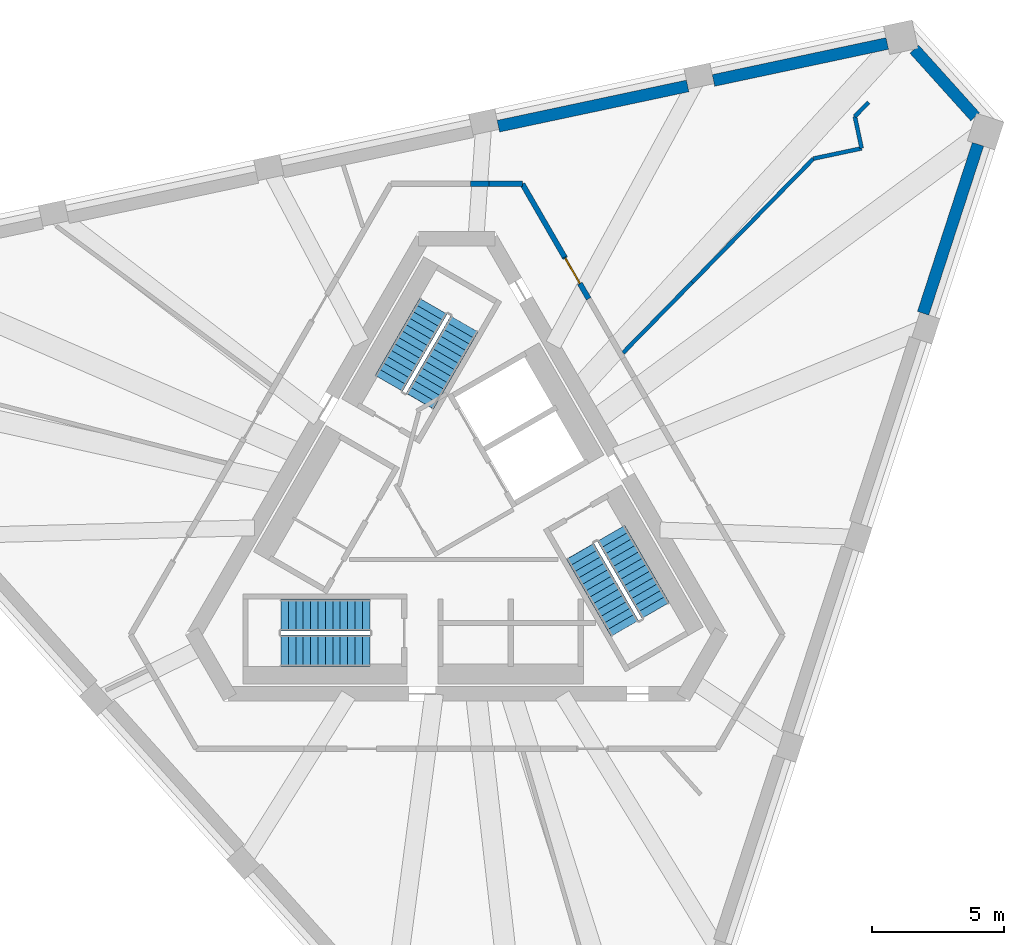
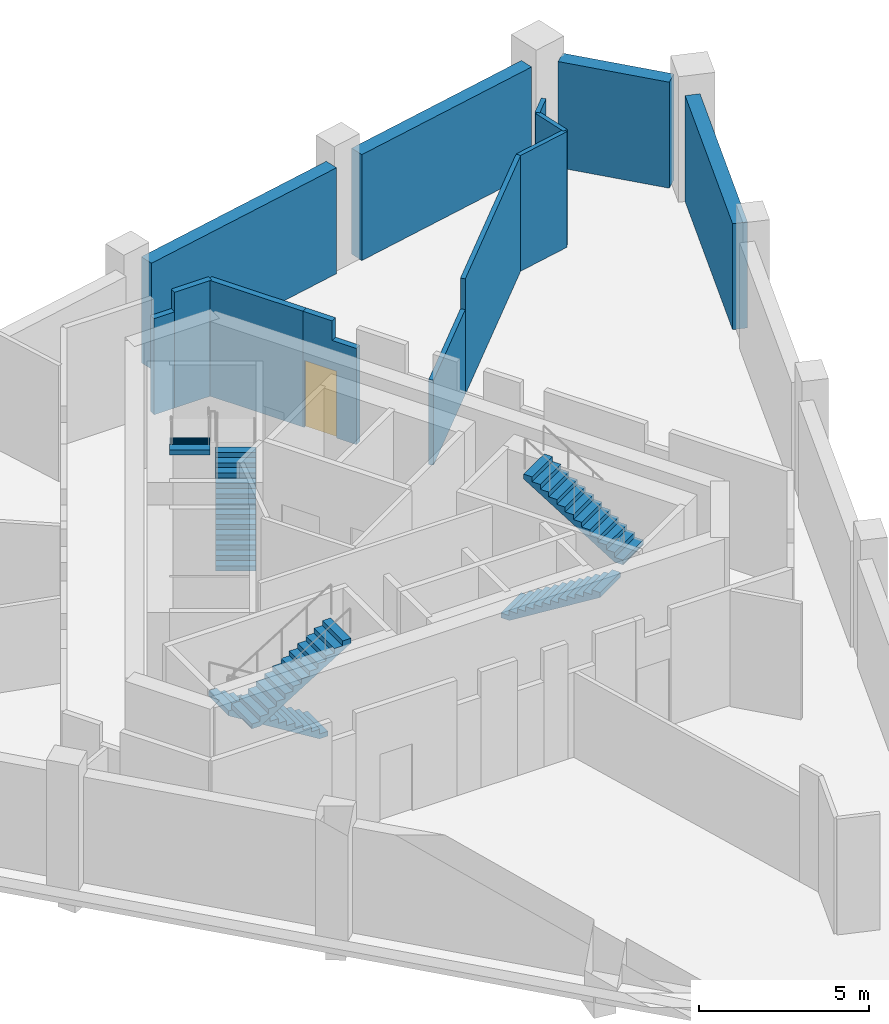
# One storey, part 4 of 5: 13 walls, 6 stair flights, 1 door, 1 opening, 3 elements without a shape of their own.
"""IFC4 building model written with IfcOpenShell, lengths in metres."""

from ifc_helpers import new_model, si_unit, direction, frame, frame_2d, origin, place, context, subcontext, project, spatial, polyline, rectangle, outline, extrude, material, layer, layer_set, type_object, element, fill, aggregate, save


model = new_model("IFC4")

# Units and contexts
model_context = context("Model", 3, precision=1e-05, world=origin(), true_north=direction((0.0, 1.0)))
body_context = subcontext(model_context, "Body", "Model", "MODEL_VIEW")
ifc_project = project(units=[si_unit("LENGTHUNIT", "METRE"), si_unit("AREAUNIT", "SQUARE_METRE"), si_unit("VOLUMEUNIT", "CUBIC_METRE"), si_unit("PLANEANGLEUNIT", "RADIAN"), si_unit("MASSUNIT", "GRAM", prefix="KILO")], contexts=[model_context])

# Site, building, storey
site_placement = place(None, origin())
site = spatial("IfcSite", under=ifc_project, at=site_placement, CompositionType="ELEMENT")
building_placement = place(site_placement, origin())
building = spatial("IfcBuilding", under=site, at=building_placement, Name="Tramontana Tower", CompositionType="ELEMENT")
storey_placement = place(building_placement, frame((0.0, 0.0, 352.39990234375)))
storey = spatial("IfcBuildingStorey", under=building, at=storey_placement, Name="L81", CompositionType="ELEMENT", Elevation=352.39990234375)

# Walls
ifc_material_1 = material(Name="Blockwork", Category="masonry")
ifc_layer_1 = layer(ifc_material_1, 0.199951171875)
ifc_layer_set_1 = layer_set([ifc_layer_1], Name="ENTRY WALL 200")
wall_type_1 = type_object("IfcWallType", Name="ENTRY WALL 200", PredefinedType="SOLIDWALL", material=ifc_layer_set_1)
wall_1_placement = place(storey_placement, frame((0.520263671875, 12.800048828125, 0.0), z_axis=(0.0, 0.0, 1.0), x_axis=(1.0, 0.0, 0.0)))
element("IfcWall", 1, at=wall_1_placement, inside=storey, type_object=wall_type_1, Name="Wall ew4-1", PredefinedType="SOLIDWALL", context=body_context, shape_type="SweptSolid", body=[
    extrude(rectangle(XDim=0.701416015625, YDim=0.199951171875, at=frame_2d((0.3505859375, 0.0))), origin(), (0.0, 0.0, 1.0), 3.4501953125),
])
wall_2_placement = place(storey_placement, frame((1.2216796875, 12.800048828125, 0.0), z_axis=(0.0, 0.0, 1.0), x_axis=(1.0, 0.0, 0.0)))
element("IfcWall", 2, at=wall_2_placement, inside=storey, type_object=wall_type_1, Name="Wall ew4-2", PredefinedType="SOLIDWALL", context=body_context, shape_type="SweptSolid", body=[
    extrude(rectangle(XDim=1.260986328125, YDim=0.199951171875, at=frame_2d((0.63037109375, 0.0))), origin(), (0.0, 0.0, 1.0), 4.150146484375),
])
wall_3_placement = place(storey_placement, frame((2.482666015625, 12.800048828125, 0.0), z_axis=(0.0, 0.0, 1.0), x_axis=(0.499964726069, -0.86604576824, 0.0)))
element("IfcWall", 3, at=wall_3_placement, inside=storey, type_object=wall_type_1, Name="Wall ew5-0", PredefinedType="SOLIDWALL", context=body_context, shape_type="SweptSolid", body=[
    extrude(rectangle(XDim=3.198486328125, YDim=0.199951171875, at=frame_2d((1.59912109375, 0.0))), origin(), (0.0, 0.0, 1.0), 4.150146484375),
])

# Wall, opening, door
wall_4_placement = place(storey_placement, frame((4.081787109375, 10.030029296875, 0.0), z_axis=(0.0, 0.0, 1.0), x_axis=(0.499997733992, -0.866026712061, 0.0)))
wall_4 = element("IfcWall", 4, at=wall_4_placement, inside=storey, type_object=wall_type_1, Name="Wall ew5-1", PredefinedType="SOLIDWALL", context=body_context, shape_type="SweptSolid", body=[
    extrude(outline(polyline([(0.0, 0.0), (1.81689453125, 0.0), (1.817138671875, 3.4501953125), (0.99609375, 3.4501953125), (0.99609375, 4.150146484375), (0.0, 4.150146484375), (0.0, 0.0)])), frame((0.0, 0.10009765625, 0.0), z_axis=(0.0, -1.0, 0.0), x_axis=(1.0, 0.0, 0.0)), (0.0, 0.0, 1.0), 0.199951171875),
])
opening_placement = place(wall_4_placement, frame((0.050048828125, 0.0, 0.0)))
opening = element("IfcOpeningElement", 5, at=opening_placement, cuts=wall_4, Name="Opening L81-07", PredefinedType="OPENING", context=body_context, shape_type="SweptSolid", body=[
    extrude(rectangle(XDim=1.10009765625, YDim=2.39990234375, at=frame_2d((0.550048828125, 1.199951171875))), frame((0.0, 0.10986328125, 0.0), z_axis=(0.0, -1.0, 0.0), x_axis=(1.0, 0.0, 0.0)), (0.0, 0.0, 1.0), 0.219970703125),
])
ifc_material_2 = material(Name="Painted timber", Category="wood")
door_type = type_object("IfcDoorType", Name="DOOR ENTRY 1100", OperationType="SINGLE_SWING_LEFT", PredefinedType="DOOR", material=ifc_material_2)
door_placement = place(opening_placement, origin())
door = element("IfcDoor", 6, at=door_placement, inside=storey, type_object=door_type, Name="Door L81-07", OperationType="SINGLE_SWING_LEFT", OverallHeight=2.39990234375, OverallWidth=1.10009765625, PredefinedType="DOOR", context=body_context, shape_type="SweptSolid", body=[
    extrude(rectangle(XDim=1.10009765625, YDim=2.39990234375, at=frame_2d((0.550048828125, 1.199951171875))), frame((0.0, 0.02490234375, 0.0), z_axis=(0.0, -1.0, 0.0), x_axis=(1.0, 0.0, 0.0)), (0.0, 0.0, 1.0), 0.050048828125),
])
fill(opening, door)

# Walls
ifc_material_3 = material(Name="Precast concrete 60 MPa", Category="concrete")
ifc_layer_2 = layer(ifc_material_3, 0.449951171875)
ifc_layer_set_2 = layer_set([ifc_layer_2], Name="Precast concrete 60 MPa, 450 mm")
wall_type_2 = type_object("IfcWallType", Name="EW1 Stone-faced precast wall 450", PredefinedType="SOLIDWALL", material=ifc_layer_set_2)
wall_5_placement = place(storey_placement, frame((17.632080078125, 7.9091796875, 0.0), z_axis=(0.0, 0.0, 1.0), x_axis=(0.309018647645, 0.951055979114, 0.0)))
element("IfcWall", 7, at=wall_5_placement, inside=storey, type_object=wall_type_2, Name="Stone band wall L81 face 1s 5", PredefinedType="SOLIDWALL", context=body_context, shape_type="SweptSolid", body=[
    extrude(rectangle(XDim=6.7138671875, YDim=0.449951171875, at=frame_2d((3.35693359375, 0.0))), origin(), (0.0, 0.0, 1.0), 3.800048828125),
])
wall_6_placement = place(storey_placement, frame((19.597900390625, 15.334716796875, 0.0), z_axis=(0.0, 0.0, 1.0), x_axis=(-0.669109997009, 0.743163381702, 0.0)))
element("IfcWall", 8, at=wall_6_placement, inside=storey, type_object=wall_type_2, Name="Stone band wall L81 face 2k 1", PredefinedType="SOLIDWALL", context=body_context, shape_type="SweptSolid", body=[
    extrude(rectangle(XDim=3.435302734375, YDim=0.449951171875, at=frame_2d((1.7177734375, 0.0))), origin(), (0.0, 0.0, 1.0), 3.800048828125),
])
wall_7_placement = place(storey_placement, frame((8.73095703125, 16.500732421875, 0.0), z_axis=(0.0, 0.0, 1.0), x_axis=(-0.978151299843, -0.207894287118, 0.0)))
element("IfcWall", 9, at=wall_7_placement, inside=storey, type_object=wall_type_2, Name="Stone band wall L81 face 2s 4", PredefinedType="SOLIDWALL", context=body_context, shape_type="SweptSolid", body=[
    extrude(rectangle(XDim=7.31396484375, YDim=0.449951171875, at=frame_2d((3.656982421875, 0.0))), origin(), (0.0, 0.0, 1.0), 3.800048828125),
])
wall_8_placement = place(storey_placement, frame((16.276123046875, 18.104736328125, 0.0), z_axis=(0.0, 0.0, 1.0), x_axis=(-0.978144338977, -0.207927035587, 0.0)))
element("IfcWall", 10, at=wall_8_placement, inside=storey, type_object=wall_type_2, Name="Stone band wall L81 face 2s 5", PredefinedType="SOLIDWALL", context=body_context, shape_type="SweptSolid", body=[
    extrude(rectangle(XDim=6.7138671875, YDim=0.449951171875, at=frame_2d((3.35693359375, 0.0))), origin(), (0.0, 0.0, 1.0), 3.800048828125),
])
ifc_material_4 = material(Name="Gypsum board partition")
ifc_layer_3 = layer(ifc_material_4, 0.14990234375)
ifc_layer_set_3 = layer_set([ifc_layer_3], Name="PARTITION 150")
wall_type_3 = type_object("IfcWallType", Name="PARTITION 150", PredefinedType="PARTITIONING", material=ifc_layer_set_3)
wall_9_placement = place(storey_placement, frame((6.286865234375, 6.410888671875, 0.0), z_axis=(0.0, 0.0, 1.0), x_axis=(0.700152348121, 0.713993479956, 0.0)))
element("IfcWall", 11, at=wall_9_placement, inside=storey, type_object=wall_type_3, Name="Wall fw-pw11-0", PredefinedType="PARTITIONING", context=body_context, shape_type="SweptSolid", body=[
    extrude(rectangle(XDim=3.739501953125, YDim=0.14990234375, at=frame_2d((1.86962890625, 0.0))), origin(), (0.0, 0.0, 1.0), 3.050048828125),
])
wall_10_placement = place(storey_placement, frame((8.905029296875, 9.080810546875, 0.0), z_axis=(0.0, 0.0, 1.0), x_axis=(0.700154559569, 0.713991311372, 0.0)))
element("IfcWall", 12, at=wall_10_placement, inside=storey, type_object=wall_type_3, Name="Wall fw-pw11-1", PredefinedType="PARTITIONING", context=body_context, shape_type="SweptSolid", body=[
    extrude(rectangle(XDim=6.546142578125, YDim=0.14990234375, at=frame_2d((3.27294921875, 0.0))), origin(), (0.0, 0.0, 1.0), 4.150146484375),
])
wall_11_placement = place(storey_placement, frame((13.488525390625, 13.7548828125, 0.0), z_axis=(0.0, 0.0, 1.0), x_axis=(0.978154843267, 0.207877614461, 0.0)))
element("IfcWall", 13, at=wall_11_placement, inside=storey, type_object=wall_type_3, Name="Wall fw-pw13", PredefinedType="PARTITIONING", context=body_context, shape_type="SweptSolid", body=[
    extrude(rectangle(XDim=1.85791015625, YDim=0.14990234375, at=frame_2d((0.928955078125, 0.0))), origin(), (0.0, 0.0, 1.0), 4.150146484375),
])
wall_12_placement = place(storey_placement, frame((15.05126953125, 15.3486328125, 0.0), z_axis=(0.0, 0.0, 1.0), x_axis=(0.700199040738, 0.713947689505, 0.0)))
element("IfcWall", 14, at=wall_12_placement, inside=storey, type_object=wall_type_3, Name="Wall fw-pw14", PredefinedType="PARTITIONING", context=body_context, shape_type="SweptSolid", body=[
    extrude(rectangle(XDim=0.745849609375, YDim=0.14990234375, at=frame_2d((0.373046875, 0.0))), origin(), (0.0, 0.0, 1.0), 4.150146484375),
])
wall_13_placement = place(storey_placement, frame((15.307373046875, 14.1435546875, 0.0), z_axis=(0.0, 0.0, 1.0), x_axis=(-0.207918018685, 0.978146255683, 0.0)))
element("IfcWall", 15, at=wall_13_placement, inside=storey, type_object=wall_type_3, Name="Wall fw-pw15", PredefinedType="PARTITIONING", context=body_context, shape_type="SweptSolid", body=[
    extrude(rectangle(XDim=1.231689453125, YDim=0.14990234375, at=frame_2d((0.61572265625, 0.0))), origin(), (0.0, 0.0, 1.0), 4.150146484375),
])

# Stair, stair flights
ifc_material_5 = material(Name="Concrete 40 MPa", Category="concrete")
stair_type = type_object("IfcStairType", Name="EXIT STAIR 26 RISERS", PredefinedType="HALF_TURN_STAIR", material=ifc_material_5)
stair_1_placement = place(storey_placement, origin())
stair_1 = element("IfcStair", 16, at=stair_1_placement, inside=storey, type_object=stair_type, Name="L81 Exit stair ST1", PredefinedType="HALF_TURN_STAIR")
ifc_material_6 = material(Name="Concrete 40 MPa", Category="concrete")
ifc_layer_4 = layer(ifc_material_6, 0.14990234375)
ifc_layer_set_4 = layer_set([ifc_layer_4], Name="EXIT STAIR FLIGHT")
stair_flight_type = type_object("IfcStairFlightType", Name="EXIT STAIR FLIGHT", PredefinedType="STRAIGHT", material=ifc_layer_set_4)
stair_flight_1_placement = place(storey_placement, frame((-1.39111328125, 4.590576171875, 0.0), z_axis=(0.0, 0.0, 1.0), x_axis=(0.5, 0.866025403784, 0.0)))
stair_flight_1 = element("IfcStairFlight", 17, at=stair_flight_1_placement, type_object=stair_flight_type, Name="ST1 flight 1", NumberOfRisers=13, NumberOfTreads=12, PredefinedType="STRAIGHT", RiserHeight=0.173076923, TreadLength=0.28, context=body_context, shape_type="SweptSolid", body=[
    extrude(outline(polyline([(-0.006103515625, 0.0), (-0.006103515625, 0.0400390625), (0.0, 0.0400390625), (0.0, 0.173095703125), (0.280029296875, 0.173095703125), (0.280029296875, 0.34619140625), (0.56005859375, 0.34619140625), (0.56005859375, 0.519287109375), (0.840087890625, 0.519287109375), (0.840087890625, 0.6923828125), (1.1201171875, 0.6923828125), (1.1201171875, 0.865478515625), (1.39990234375, 0.865478515625), (1.39990234375, 1.03857421875), (1.679931640625, 1.03857421875), (1.679931640625, 1.21142578125), (1.9599609375, 1.21142578125), (1.9599609375, 1.384521484375), (2.239990234375, 1.384521484375), (2.239990234375, 1.5576171875), (2.52001953125, 1.5576171875), (2.52001953125, 1.730712890625), (2.800048828125, 1.730712890625), (2.800048828125, 1.90380859375), (3.080078125, 1.90380859375), (3.080078125, 2.076904296875), (3.360107421875, 2.076904296875), (3.365966796875, 2.076904296875), (3.365966796875, 1.900634765625), (0.291015625, 0.0), (-0.006103515625, 0.0)])), frame((0.0, 0.60009765625, 0.0), z_axis=(0.0, -1.0, 0.0), x_axis=(1.0, 0.0, 0.0)), (0.0, 0.0, 1.0), 1.199951171875),
])
stair_flight_2_placement = place(storey_placement, frame((-0.880126953125, 8.17529296875, 2.25), z_axis=(0.0, 0.0, 1.0), x_axis=(-0.5, -0.866025403784, 0.0)))
stair_flight_2 = element("IfcStairFlight", 18, at=stair_flight_2_placement, type_object=stair_flight_type, Name="ST1 flight 2", NumberOfRisers=13, NumberOfTreads=12, PredefinedType="STRAIGHT", RiserHeight=0.173076923, TreadLength=0.28, context=body_context, shape_type="SweptSolid", body=[
    extrude(outline(polyline([(-0.006103515625, 0.0), (-0.006103515625, 0.0400390625), (0.0, 0.0400390625), (0.0, 0.173095703125), (0.280029296875, 0.173095703125), (0.280029296875, 0.34619140625), (0.56005859375, 0.34619140625), (0.56005859375, 0.519287109375), (0.840087890625, 0.519287109375), (0.840087890625, 0.6923828125), (1.1201171875, 0.6923828125), (1.1201171875, 0.865478515625), (1.39990234375, 0.865478515625), (1.39990234375, 1.03857421875), (1.679931640625, 1.03857421875), (1.679931640625, 1.21142578125), (1.9599609375, 1.21142578125), (1.9599609375, 1.384521484375), (2.239990234375, 1.384521484375), (2.239990234375, 1.5576171875), (2.52001953125, 1.5576171875), (2.52001953125, 1.730712890625), (2.800048828125, 1.730712890625), (2.800048828125, 1.90380859375), (3.080078125, 1.90380859375), (3.080078125, 2.076904296875), (3.360107421875, 2.076904296875), (3.365966796875, 2.076904296875), (3.365966796875, 1.900634765625), (0.291015625, 0.0), (-0.006103515625, 0.0)])), frame((0.0, 0.60009765625, 0.0), z_axis=(0.0, -1.0, 0.0), x_axis=(1.0, 0.0, 0.0)), (0.0, 0.0, 1.0), 1.199951171875),
])
aggregate(stair_1, [stair_flight_1, stair_flight_2])

stair_2_placement = place(storey_placement, origin())
stair_2 = element("IfcStair", 19, at=stair_2_placement, inside=storey, type_object=stair_type, Name="L81 Exit stair ST2", PredefinedType="HALF_TURN_STAIR")
stair_flight_3_placement = place(storey_placement, frame((-3.280029296875, -3.5, 0.0), z_axis=(0.0, 0.0, 1.0), x_axis=(-1.0, 0.0, 0.0)))
stair_flight_3 = element("IfcStairFlight", 20, at=stair_flight_3_placement, type_object=stair_flight_type, Name="ST2 flight 1", NumberOfRisers=13, NumberOfTreads=12, PredefinedType="STRAIGHT", RiserHeight=0.173076923, TreadLength=0.28, context=body_context, shape_type="SweptSolid", body=[
    extrude(outline(polyline([(-0.006103515625, 0.0), (-0.006103515625, 0.0400390625), (0.0, 0.0400390625), (0.0, 0.173095703125), (0.280029296875, 0.173095703125), (0.280029296875, 0.34619140625), (0.56005859375, 0.34619140625), (0.56005859375, 0.519287109375), (0.840087890625, 0.519287109375), (0.840087890625, 0.6923828125), (1.1201171875, 0.6923828125), (1.1201171875, 0.865478515625), (1.39990234375, 0.865478515625), (1.39990234375, 1.03857421875), (1.679931640625, 1.03857421875), (1.679931640625, 1.21142578125), (1.9599609375, 1.21142578125), (1.9599609375, 1.384521484375), (2.239990234375, 1.384521484375), (2.239990234375, 1.5576171875), (2.52001953125, 1.5576171875), (2.52001953125, 1.730712890625), (2.800048828125, 1.730712890625), (2.800048828125, 1.90380859375), (3.080078125, 1.90380859375), (3.080078125, 2.076904296875), (3.360107421875, 2.076904296875), (3.365966796875, 2.076904296875), (3.365966796875, 1.900634765625), (0.291015625, 0.0), (-0.006103515625, 0.0)])), frame((0.0, 0.60009765625, 0.0), z_axis=(0.0, -1.0, 0.0), x_axis=(1.0, 0.0, 0.0)), (0.0, 0.0, 1.0), 1.199951171875),
])
stair_flight_4_placement = place(storey_placement, frame((-6.639892578125, -4.85009765625, 2.25), z_axis=(0.0, 0.0, 1.0), x_axis=(1.0, 0.0, 0.0)))
stair_flight_4 = element("IfcStairFlight", 21, at=stair_flight_4_placement, type_object=stair_flight_type, Name="ST2 flight 2", NumberOfRisers=13, NumberOfTreads=12, PredefinedType="STRAIGHT", RiserHeight=0.173076923, TreadLength=0.28, context=body_context, shape_type="SweptSolid", body=[
    extrude(outline(polyline([(-0.006103515625, 0.0), (-0.006103515625, 0.0400390625), (0.0, 0.0400390625), (0.0, 0.173095703125), (0.280029296875, 0.173095703125), (0.280029296875, 0.34619140625), (0.56005859375, 0.34619140625), (0.56005859375, 0.519287109375), (0.840087890625, 0.519287109375), (0.840087890625, 0.6923828125), (1.1201171875, 0.6923828125), (1.1201171875, 0.865478515625), (1.39990234375, 0.865478515625), (1.39990234375, 1.03857421875), (1.679931640625, 1.03857421875), (1.679931640625, 1.21142578125), (1.9599609375, 1.21142578125), (1.9599609375, 1.384521484375), (2.239990234375, 1.384521484375), (2.239990234375, 1.5576171875), (2.52001953125, 1.5576171875), (2.52001953125, 1.730712890625), (2.800048828125, 1.730712890625), (2.800048828125, 1.90380859375), (3.080078125, 1.90380859375), (3.080078125, 2.076904296875), (3.360107421875, 2.076904296875), (3.365966796875, 2.076904296875), (3.365966796875, 1.900634765625), (0.291015625, 0.0), (-0.006103515625, 0.0)])), frame((0.0, 0.60009765625, 0.0), z_axis=(0.0, -1.0, 0.0), x_axis=(1.0, 0.0, 0.0)), (0.0, 0.0, 1.0), 1.199951171875),
])
aggregate(stair_2, [stair_flight_3, stair_flight_4])

stair_3_placement = place(storey_placement, origin())
stair_3 = element("IfcStair", 22, at=stair_3_placement, inside=storey, type_object=stair_type, Name="L81 Exit stair ST3", PredefinedType="HALF_TURN_STAIR")
stair_flight_5_placement = place(storey_placement, frame((4.671142578125, -1.090576171875, 0.0), z_axis=(0.0, 0.0, 1.0), x_axis=(0.5, -0.866025403784, 0.0)))
stair_flight_5 = element("IfcStairFlight", 23, at=stair_flight_5_placement, type_object=stair_flight_type, Name="ST3 flight 1", NumberOfRisers=13, NumberOfTreads=12, PredefinedType="STRAIGHT", RiserHeight=0.173076923, TreadLength=0.28, context=body_context, shape_type="SweptSolid", body=[
    extrude(outline(polyline([(-0.006103515625, 0.0), (-0.006103515625, 0.0400390625), (0.0, 0.0400390625), (0.0, 0.173095703125), (0.280029296875, 0.173095703125), (0.280029296875, 0.34619140625), (0.56005859375, 0.34619140625), (0.56005859375, 0.519287109375), (0.840087890625, 0.519287109375), (0.840087890625, 0.6923828125), (1.1201171875, 0.6923828125), (1.1201171875, 0.865478515625), (1.39990234375, 0.865478515625), (1.39990234375, 1.03857421875), (1.679931640625, 1.03857421875), (1.679931640625, 1.21142578125), (1.9599609375, 1.21142578125), (1.9599609375, 1.384521484375), (2.239990234375, 1.384521484375), (2.239990234375, 1.5576171875), (2.52001953125, 1.5576171875), (2.52001953125, 1.730712890625), (2.800048828125, 1.730712890625), (2.800048828125, 1.90380859375), (3.080078125, 1.90380859375), (3.080078125, 2.076904296875), (3.360107421875, 2.076904296875), (3.365966796875, 2.076904296875), (3.365966796875, 1.900634765625), (0.291015625, 0.0), (-0.006103515625, 0.0)])), frame((0.0, 0.60009765625, 0.0), z_axis=(0.0, -1.0, 0.0), x_axis=(1.0, 0.0, 0.0)), (0.0, 0.0, 1.0), 1.199951171875),
])
stair_flight_6_placement = place(storey_placement, frame((7.520263671875, -3.325439453125, 2.25), z_axis=(0.0, 0.0, 1.0), x_axis=(-0.5, 0.866025403784, 0.0)))
stair_flight_6 = element("IfcStairFlight", 24, at=stair_flight_6_placement, type_object=stair_flight_type, Name="ST3 flight 2", NumberOfRisers=13, NumberOfTreads=12, PredefinedType="STRAIGHT", RiserHeight=0.173076923, TreadLength=0.28, context=body_context, shape_type="SweptSolid", body=[
    extrude(outline(polyline([(-0.006103515625, 0.0), (-0.006103515625, 0.0400390625), (0.0, 0.0400390625), (0.0, 0.173095703125), (0.280029296875, 0.173095703125), (0.280029296875, 0.34619140625), (0.56005859375, 0.34619140625), (0.56005859375, 0.519287109375), (0.840087890625, 0.519287109375), (0.840087890625, 0.6923828125), (1.1201171875, 0.6923828125), (1.1201171875, 0.865478515625), (1.39990234375, 0.865478515625), (1.39990234375, 1.03857421875), (1.679931640625, 1.03857421875), (1.679931640625, 1.21142578125), (1.9599609375, 1.21142578125), (1.9599609375, 1.384521484375), (2.239990234375, 1.384521484375), (2.239990234375, 1.5576171875), (2.52001953125, 1.5576171875), (2.52001953125, 1.730712890625), (2.800048828125, 1.730712890625), (2.800048828125, 1.90380859375), (3.080078125, 1.90380859375), (3.080078125, 2.076904296875), (3.360107421875, 2.076904296875), (3.365966796875, 2.076904296875), (3.365966796875, 1.900634765625), (0.291015625, 0.0), (-0.006103515625, 0.0)])), frame((0.0, 0.60009765625, 0.0), z_axis=(0.0, -1.0, 0.0), x_axis=(1.0, 0.0, 0.0)), (0.0, 0.0, 1.0), 1.199951171875),
])
aggregate(stair_3, [stair_flight_5, stair_flight_6])

save(model, "model.ifc")
